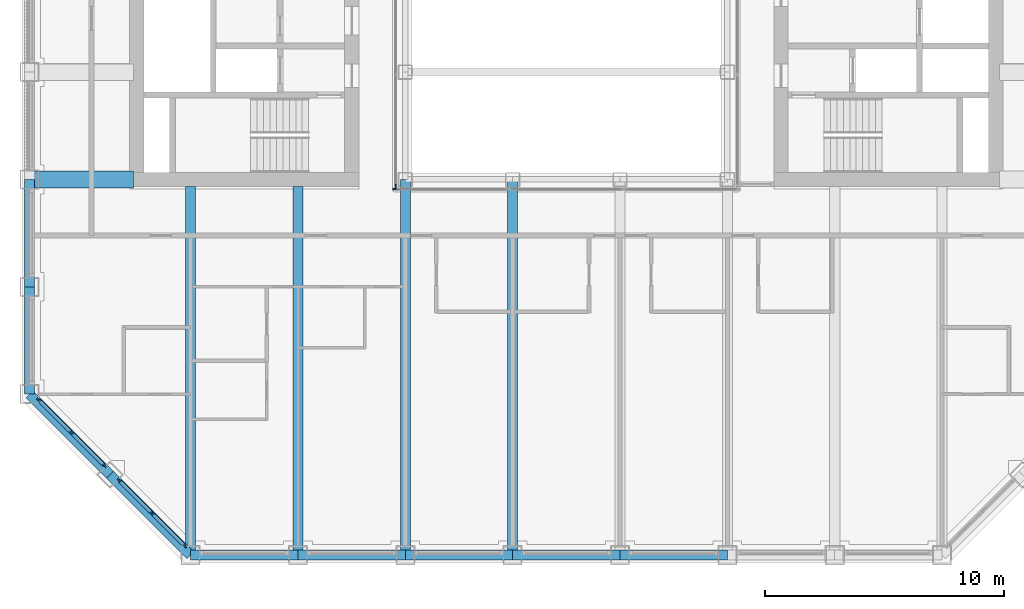
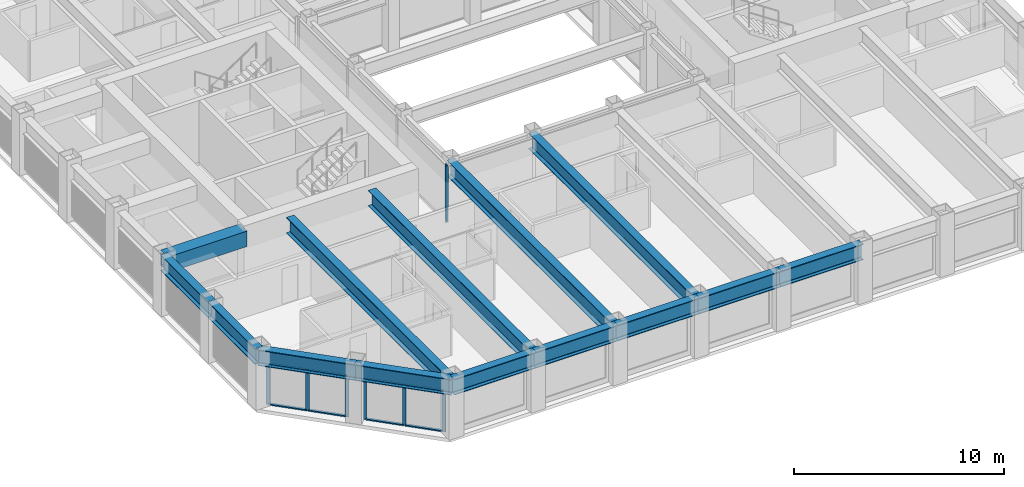
# One storey, part 2 of 18: 16 members, 14 beams, 4 elements without a shape of their own.
"""IFC4 building model written with IfcOpenShell, lengths in metres."""

from ifc_helpers import new_model, si_unit, direction, frame, origin, origin_2d, place, context, subcontext, project, spatial, rectangle, hollow_rectangle, i_section, extrude, material, material_profile, profile_set, type_object, element, aggregate, save


model = new_model("IFC4")

# Units and contexts
model_context = context("Model", 3, precision=1e-05, world=origin(), true_north=direction((0.0, 1.0)))
body_context = subcontext(model_context, "Body", "Model", "MODEL_VIEW")
ifc_project = project(units=[si_unit("LENGTHUNIT", "METRE"), si_unit("AREAUNIT", "SQUARE_METRE"), si_unit("VOLUMEUNIT", "CUBIC_METRE"), si_unit("PLANEANGLEUNIT", "RADIAN"), si_unit("MASSUNIT", "GRAM", prefix="KILO")], contexts=[model_context])

# Site, building, storey
site_placement = place(None, origin())
site = spatial("IfcSite", under=ifc_project, at=site_placement, CompositionType="ELEMENT")
building_placement = place(site_placement, origin())
building = spatial("IfcBuilding", under=site, at=building_placement, Name="Msasa Ring Tower", CompositionType="ELEMENT")
storey_placement = place(building_placement, frame((0.0, 0.0, 186.800048828125)))
storey = spatial("IfcBuildingStorey", under=building, at=storey_placement, Name="L49", CompositionType="ELEMENT", Elevation=186.800048828125)

# Curtain wall, members
ifc_material_1 = material(Name="Aluminium curtain wall with clear glass", Category="aluminium")
curtain_wall_type_1 = type_object("IfcCurtainWallType", Name="CW-C CHAMFER CORNER CURTAIN WALL", PredefinedType="NOTDEFINED", material=ifc_material_1)
curtain_wall_1_placement = place(storey_placement, origin())
curtain_wall_1 = element("IfcCurtainWall", 1, at=curtain_wall_1_placement, inside=storey, type_object=curtain_wall_type_1, Name="Chamfer corner curtain wall SW L49", PredefinedType="NOTDEFINED")
ifc_material_2 = material(Name="Aluminium mullion", Category="aluminium")
ifc_material_profile_1 = material_profile(ifc_material_2, rectangle(XDim=0.06494140625, YDim=0.179931640625, at=origin_2d()), Name="AL 65x180")
ifc_profile_set_1 = profile_set([ifc_material_profile_1], Name="Aluminium mullion")
member_type_1 = type_object("IfcMemberType", Name="CW-C MULLION 65x180", PredefinedType="MULLION", material=ifc_profile_set_1)
member_1_placement = place(storey_placement, frame((-22.119873046875, -15.98876953125, 0.0), z_axis=(0.0, 0.0, 1.0), x_axis=(0.707106781187, 0.707106781187, 0.0)))
member_1 = element("IfcMember", 2, at=member_1_placement, type_object=member_type_1, Name="CW-C mullion 1", PredefinedType="MULLION", context=body_context, shape_type="SweptSolid", body=[
    extrude(rectangle(XDim=0.06494140625, YDim=0.179931640625, at=origin_2d()), origin(), (0.0, 0.0, 1.0), 2.37890625),
])
member_2_placement = place(storey_placement, frame((-20.74169921875, -17.36669921875, 0.0), z_axis=(0.0, 0.0, 1.0), x_axis=(0.707106781187, 0.707106781187, 0.0)))
member_2 = element("IfcMember", 3, at=member_2_placement, type_object=member_type_1, Name="CW-C mullion 2", PredefinedType="MULLION", context=body_context, shape_type="SweptSolid", body=[
    extrude(rectangle(XDim=0.06494140625, YDim=0.179931640625, at=origin_2d()), origin(), (0.0, 0.0, 1.0), 2.37890625),
])
member_3_placement = place(storey_placement, frame((-19.36376953125, -18.744873046875, 0.0), z_axis=(0.0, 0.0, 1.0), x_axis=(0.707106781187, 0.707106781187, 0.0)))
member_3 = element("IfcMember", 4, at=member_3_placement, type_object=member_type_1, Name="CW-C mullion 3", PredefinedType="MULLION", context=body_context, shape_type="SweptSolid", body=[
    extrude(rectangle(XDim=0.06494140625, YDim=0.179931640625, at=origin_2d()), origin(), (0.0, 0.0, 1.0), 2.37890625),
])

curtain_wall_2_placement = place(storey_placement, origin())
curtain_wall_2 = element("IfcCurtainWall", 5, at=curtain_wall_2_placement, inside=storey, type_object=curtain_wall_type_1, Name="Chamfer corner curtain wall SW L49", PredefinedType="NOTDEFINED")
member_4_placement = place(storey_placement, frame((-18.744873046875, -19.36376953125, 0.0), z_axis=(0.0, 0.0, 1.0), x_axis=(0.707106781187, 0.707106781187, 0.0)))
member_4 = element("IfcMember", 6, at=member_4_placement, type_object=member_type_1, Name="CW-C mullion 1", PredefinedType="MULLION", context=body_context, shape_type="SweptSolid", body=[
    extrude(rectangle(XDim=0.06494140625, YDim=0.179931640625, at=origin_2d()), origin(), (0.0, 0.0, 1.0), 2.37890625),
])
member_5_placement = place(storey_placement, frame((-17.36669921875, -20.74169921875, 0.0), z_axis=(0.0, 0.0, 1.0), x_axis=(0.707106781187, 0.707106781187, 0.0)))
member_5 = element("IfcMember", 7, at=member_5_placement, type_object=member_type_1, Name="CW-C mullion 2", PredefinedType="MULLION", context=body_context, shape_type="SweptSolid", body=[
    extrude(rectangle(XDim=0.06494140625, YDim=0.179931640625, at=origin_2d()), origin(), (0.0, 0.0, 1.0), 2.37890625),
])
member_6_placement = place(storey_placement, frame((-15.98876953125, -22.119873046875, 0.0), z_axis=(0.0, 0.0, 1.0), x_axis=(0.707106781187, 0.707106781187, 0.0)))
member_6 = element("IfcMember", 8, at=member_6_placement, type_object=member_type_1, Name="CW-C mullion 3", PredefinedType="MULLION", context=body_context, shape_type="SweptSolid", body=[
    extrude(rectangle(XDim=0.06494140625, YDim=0.179931640625, at=origin_2d()), origin(), (0.0, 0.0, 1.0), 2.37890625),
])

# Member
ifc_material_3 = material(Name="Aluminium transom", Category="aluminium")
ifc_material_profile_2 = material_profile(ifc_material_3, rectangle(XDim=0.139892578125, YDim=0.06494140625, at=origin_2d()), Name="AL 65x140")
ifc_profile_set_2 = profile_set([ifc_material_profile_2], Name="Aluminium transom")
member_type_2 = type_object("IfcMemberType", Name="CW-C TRANSOM 65x140", PredefinedType="USERDEFINED", material=ifc_profile_set_2)
member_7_placement = place(storey_placement, frame((-22.096923828125, -16.01171875, 0.032470703125), z_axis=(0.707106781187, -0.707106781187, 0.0), x_axis=(0.707106781187, 0.707106781187, 0.0)))
member_7 = element("IfcMember", 9, at=member_7_placement, type_object=member_type_2, Name="CW-C transom 1.1", ObjectType="TRANSOM", PredefinedType="USERDEFINED", context=body_context, shape_type="SweptSolid", body=[
    extrude(rectangle(XDim=0.139892578125, YDim=0.06494140625, at=origin_2d()), origin(), (0.0, 0.0, 1.0), 1.8837890625),
])

member_8_placement = place(storey_placement, frame((-22.096923828125, -16.01171875, 2.346435546875), z_axis=(0.707106781187, -0.707106781187, 0.0), x_axis=(0.707106781187, 0.707106781187, 0.0)))
member_8 = element("IfcMember", 10, at=member_8_placement, type_object=member_type_2, Name="CW-C transom 1.2", ObjectType="TRANSOM", PredefinedType="USERDEFINED", context=body_context, shape_type="SweptSolid", body=[
    extrude(rectangle(XDim=0.139892578125, YDim=0.06494140625, at=origin_2d()), origin(), (0.0, 0.0, 1.0), 1.8837890625),
])

member_9_placement = place(storey_placement, frame((-20.71875, -17.389892578125, 0.032470703125), z_axis=(0.707106781187, -0.707106781187, 0.0), x_axis=(0.707106781187, 0.707106781187, 0.0)))
member_9 = element("IfcMember", 11, at=member_9_placement, type_object=member_type_2, Name="CW-C transom 2.1", ObjectType="TRANSOM", PredefinedType="USERDEFINED", context=body_context, shape_type="SweptSolid", body=[
    extrude(rectangle(XDim=0.139892578125, YDim=0.06494140625, at=origin_2d()), origin(), (0.0, 0.0, 1.0), 1.8837890625),
])

member_10_placement = place(storey_placement, frame((-20.71875, -17.389892578125, 2.346435546875), z_axis=(0.707106781187, -0.707106781187, 0.0), x_axis=(0.707106781187, 0.707106781187, 0.0)))
member_10 = element("IfcMember", 12, at=member_10_placement, type_object=member_type_2, Name="CW-C transom 2.2", ObjectType="TRANSOM", PredefinedType="USERDEFINED", context=body_context, shape_type="SweptSolid", body=[
    extrude(rectangle(XDim=0.139892578125, YDim=0.06494140625, at=origin_2d()), origin(), (0.0, 0.0, 1.0), 1.8837890625),
])

aggregate(curtain_wall_1, [member_1, member_2, member_3, member_7, member_8, member_9, member_10])

member_11_placement = place(storey_placement, frame((-18.721923828125, -19.38671875, 0.032470703125), z_axis=(0.707106781187, -0.707106781187, 0.0), x_axis=(0.707106781187, 0.707106781187, 0.0)))
member_11 = element("IfcMember", 13, at=member_11_placement, type_object=member_type_2, Name="CW-C transom 1.1", ObjectType="TRANSOM", PredefinedType="USERDEFINED", context=body_context, shape_type="SweptSolid", body=[
    extrude(rectangle(XDim=0.139892578125, YDim=0.06494140625, at=origin_2d()), origin(), (0.0, 0.0, 1.0), 1.8837890625),
])

member_12_placement = place(storey_placement, frame((-18.721923828125, -19.38671875, 2.346435546875), z_axis=(0.707106781187, -0.707106781187, 0.0), x_axis=(0.707106781187, 0.707106781187, 0.0)))
member_12 = element("IfcMember", 14, at=member_12_placement, type_object=member_type_2, Name="CW-C transom 1.2", ObjectType="TRANSOM", PredefinedType="USERDEFINED", context=body_context, shape_type="SweptSolid", body=[
    extrude(rectangle(XDim=0.139892578125, YDim=0.06494140625, at=origin_2d()), origin(), (0.0, 0.0, 1.0), 1.8837890625),
])

member_13_placement = place(storey_placement, frame((-17.34375, -20.764892578125, 0.032470703125), z_axis=(0.707106781187, -0.707106781187, 0.0), x_axis=(0.707106781187, 0.707106781187, 0.0)))
member_13 = element("IfcMember", 15, at=member_13_placement, type_object=member_type_2, Name="CW-C transom 2.1", ObjectType="TRANSOM", PredefinedType="USERDEFINED", context=body_context, shape_type="SweptSolid", body=[
    extrude(rectangle(XDim=0.139892578125, YDim=0.06494140625, at=origin_2d()), origin(), (0.0, 0.0, 1.0), 1.8837890625),
])

member_14_placement = place(storey_placement, frame((-17.34375, -20.764892578125, 2.346435546875), z_axis=(0.707106781187, -0.707106781187, 0.0), x_axis=(0.707106781187, 0.707106781187, 0.0)))
member_14 = element("IfcMember", 16, at=member_14_placement, type_object=member_type_2, Name="CW-C transom 2.2", ObjectType="TRANSOM", PredefinedType="USERDEFINED", context=body_context, shape_type="SweptSolid", body=[
    extrude(rectangle(XDim=0.139892578125, YDim=0.06494140625, at=origin_2d()), origin(), (0.0, 0.0, 1.0), 1.8837890625),
])

aggregate(curtain_wall_2, [member_4, member_5, member_6, member_11, member_12, member_13, member_14])

# Curtain wall, member
ifc_material_4 = material(Name="Aluminium curtain wall with clear glass", Category="aluminium")
curtain_wall_type_2 = type_object("IfcCurtainWallType", Name="CW-W LIGHT WELL CURTAIN WALL", PredefinedType="NOTDEFINED", material=ifc_material_4)
curtain_wall_3_placement = place(storey_placement, origin())
curtain_wall_3 = element("IfcCurtainWall", 17, at=curtain_wall_3_placement, inside=storey, type_object=curtain_wall_type_2, Name="Light well curtain wall S L49", PredefinedType="NOTDEFINED")
ifc_material_5 = material(Name="Aluminium mullion", Category="aluminium")
ifc_material_profile_3 = material_profile(ifc_material_5, rectangle(XDim=0.06005859375, YDim=0.159912109375, at=origin_2d()), Name="AL 60x160")
ifc_profile_set_3 = profile_set([ifc_material_profile_3], Name="Aluminium mullion")
member_type_3 = type_object("IfcMemberType", Name="CW-W MULLION 60x160", PredefinedType="MULLION", material=ifc_profile_set_3)
member_15_placement = place(storey_placement, frame((-7.199951171875, -7.14990234375, 0.0), z_axis=(0.0, 0.0, 1.0), x_axis=(0.0, 1.0, 0.0)))
member_15 = element("IfcMember", 18, at=member_15_placement, type_object=member_type_3, Name="CW-W mullion 1", PredefinedType="MULLION", context=body_context, shape_type="SweptSolid", body=[
    extrude(rectangle(XDim=0.06005859375, YDim=0.159912109375, at=origin_2d()), origin(), (0.0, 0.0, 1.0), 3.300048828125),
])
aggregate(curtain_wall_3, [member_15])

curtain_wall_4_placement = place(storey_placement, origin())
curtain_wall_4 = element("IfcCurtainWall", 19, at=curtain_wall_4_placement, inside=storey, type_object=curtain_wall_type_2, Name="Light well curtain wall W L49", PredefinedType="NOTDEFINED")
member_16_placement = place(storey_placement, frame((-7.14990234375, -7.0400390625, 0.0), z_axis=(0.0, 0.0, 1.0), x_axis=(-1.0, 0.0, 0.0)))
member_16 = element("IfcMember", 20, at=member_16_placement, type_object=member_type_3, Name="CW-W mullion 1", PredefinedType="MULLION", context=body_context, shape_type="SweptSolid", body=[
    extrude(rectangle(XDim=0.06005859375, YDim=0.159912109375, at=origin_2d()), origin(), (0.0, 0.0, 1.0), 3.300048828125),
])
aggregate(curtain_wall_4, [member_16])

# Beams
ifc_material_6 = material(Name="Steel S355", Category="steel")
ifc_material_profile_4 = material_profile(ifc_material_6, i_section(OverallWidth=0.42041015625, OverallDepth=0.9208984375, WebThickness=0.021484375, FlangeThickness=0.03662109375, FilletRadius=0.024169921875, at=origin_2d()), Name="UB 914x419x388")
ifc_profile_set_4 = profile_set([ifc_material_profile_4], Name="Steel S355")
beam_type_1 = type_object("IfcBeamType", Name="FB2 UB 914x419x388", PredefinedType="BEAM", material=ifc_profile_set_4)
for number, where, z_axis, x_axis, name in (
    (21, (-15.75, -22.5, 2.83935546875), (0.0, 1.0, 0.0), (-1.0, 0.0, 0.0), "Floor beam S-15.75 under L50"),
    (22, (-11.25, -22.5, 2.83935546875), (0.0, 1.0, 0.0), (-1.0, 0.0, 0.0), "Floor beam S-11.25 under L50"),
):
    element("IfcBeam", number, at=place(storey_placement, frame(where, z_axis=z_axis, x_axis=x_axis)), inside=storey, type_object=beam_type_1, Name=name, PredefinedType="BEAM", context=body_context, shape_type="SweptSolid", body=[
        extrude(i_section(OverallWidth=0.42041015625, OverallDepth=0.9208984375, WebThickness=0.021484375, FlangeThickness=0.03662109375, FilletRadius=0.024169921875, at=origin_2d()), origin(), (0.0, 0.0, 1.0), 15.449951171875),
    ])
for number, where, z_axis, x_axis, name in (
    (23, (-6.75, -22.5, 2.83935546875), (0.0, 1.0, 0.0), (-1.0, 0.0, 0.0), "Floor beam S-6.75 under L50"),
    (24, (-2.25, -22.5, 2.83935546875), (0.0, 1.0, 0.0), (-1.0, 0.0, 0.0), "Floor beam S-2.25 under L50"),
):
    element("IfcBeam", number, at=place(storey_placement, frame(where, z_axis=z_axis, x_axis=x_axis)), inside=storey, type_object=beam_type_1, Name=name, PredefinedType="BEAM", context=body_context, shape_type="SweptSolid", body=[
        extrude(i_section(OverallWidth=0.42041015625, OverallDepth=0.9208984375, WebThickness=0.021484375, FlangeThickness=0.03662109375, FilletRadius=0.024169921875, at=origin_2d()), origin(), (0.0, 0.0, 1.0), 15.75),
    ])
ifc_material_7 = material(Name="Steel S355", Category="steel")
ifc_material_profile_5 = material_profile(ifc_material_7, hollow_rectangle(XDim=0.699951171875, YDim=0.89990234375, WallThickness=0.080078125, at=origin_2d()), Name="BOX 900x700x80")
ifc_profile_set_5 = profile_set([ifc_material_profile_5], Name="Steel S355")
beam_type_2 = type_object("IfcBeamType", Name="GB2 BOX 900x700x80", PredefinedType="BEAM", material=ifc_profile_set_5)
beam_placement = place(storey_placement, frame((-18.14990234375, -6.75, 2.849853515625), z_axis=(-1.0, 0.0, 0.0), x_axis=(0.0, -1.0, 0.0)))
element("IfcBeam", 25, at=beam_placement, inside=storey, type_object=beam_type_2, Name="Girder W -6.75 under L50", PredefinedType="BEAM", context=body_context, shape_type="SweptSolid", body=[
    extrude(hollow_rectangle(XDim=0.699951171875, YDim=0.89990234375, WallThickness=0.080078125, at=origin_2d()), origin(), (0.0, 0.0, 1.0), 4.35009765625),
])
ifc_material_8 = material(Name="Steel S355", Category="steel")
ifc_material_profile_6 = material_profile(ifc_material_8, i_section(OverallWidth=0.42041015625, OverallDepth=0.9208984375, WebThickness=0.021484375, FlangeThickness=0.03662109375, FilletRadius=0.024169921875, at=origin_2d()), Name="UB 914x419x388")
ifc_profile_set_6 = profile_set([ifc_material_profile_6], Name="Steel S355")
beam_type_3 = type_object("IfcBeamType", Name="SB1 UB 914x419x388", PredefinedType="SPANDREL", material=ifc_profile_set_6)
for number, where, z_axis, x_axis, name in (
    (26, (-22.5, -6.75, 2.83935546875), (0.0, -1.0, 0.0), (1.0, 0.0, 0.0), "Spandrel W-6.75 to W-11.25 under L50"),
    (27, (-22.5, -11.25, 2.83935546875), (0.0, -1.0, 0.0), (1.0, 0.0, 0.0), "Spandrel W-11.25 to W-15.75 under L50"),
):
    element("IfcBeam", number, at=place(storey_placement, frame(where, z_axis=z_axis, x_axis=x_axis)), inside=storey, type_object=beam_type_3, Name=name, PredefinedType="SPANDREL", context=body_context, shape_type="SweptSolid", body=[
        extrude(i_section(OverallWidth=0.42041015625, OverallDepth=0.9208984375, WebThickness=0.021484375, FlangeThickness=0.03662109375, FilletRadius=0.024169921875, at=origin_2d()), origin(), (0.0, 0.0, 1.0), 4.5),
    ])
for number, where, z_axis, x_axis, name in (
    (28, (-22.5, -15.75, 2.83935546875), (0.707106781187, -0.707106781187, 0.0), (0.707106781187, 0.707106781187, 0.0), "Spandrel W-15.75 to SW under L50"),
    (29, (-19.125, -19.125, 2.83935546875), (0.707106781187, -0.707106781187, 0.0), (0.707106781187, 0.707106781187, 0.0), "Spandrel SW to S-15.75 under L50"),
):
    element("IfcBeam", number, at=place(storey_placement, frame(where, z_axis=z_axis, x_axis=x_axis)), inside=storey, type_object=beam_type_3, Name=name, PredefinedType="SPANDREL", context=body_context, shape_type="SweptSolid", body=[
        extrude(i_section(OverallWidth=0.42041015625, OverallDepth=0.9208984375, WebThickness=0.021484375, FlangeThickness=0.03662109375, FilletRadius=0.024169921875, at=origin_2d()), origin(), (0.0, 0.0, 1.0), 4.77294921875),
    ])
for number, where, z_axis, x_axis, name in (
    (30, (-15.75, -22.5, 2.83935546875), (1.0, 0.0, 0.0), (0.0, 1.0, 0.0), "Spandrel S-15.75 to S-11.25 under L50"),
    (31, (-11.25, -22.5, 2.83935546875), (1.0, 0.0, 0.0), (0.0, 1.0, 0.0), "Spandrel S-11.25 to S-6.75 under L50"),
    (32, (-6.75, -22.5, 2.83935546875), (1.0, 0.0, 0.0), (0.0, 1.0, 0.0), "Spandrel S-6.75 to S-2.25 under L50"),
    (33, (-2.25, -22.5, 2.83935546875), (1.0, 0.0, 0.0), (0.0, 1.0, 0.0), "Spandrel S-2.25 to S+2.25 under L50"),
    (34, (2.25, -22.5, 2.83935546875), (1.0, 0.0, 0.0), (0.0, 1.0, 0.0), "Spandrel S+2.25 to S+6.75 under L50"),
):
    element("IfcBeam", number, at=place(storey_placement, frame(where, z_axis=z_axis, x_axis=x_axis)), inside=storey, type_object=beam_type_3, Name=name, PredefinedType="SPANDREL", context=body_context, shape_type="SweptSolid", body=[
        extrude(i_section(OverallWidth=0.42041015625, OverallDepth=0.9208984375, WebThickness=0.021484375, FlangeThickness=0.03662109375, FilletRadius=0.024169921875, at=origin_2d()), origin(), (0.0, 0.0, 1.0), 4.5),
    ])

save(model, "model.ifc")
